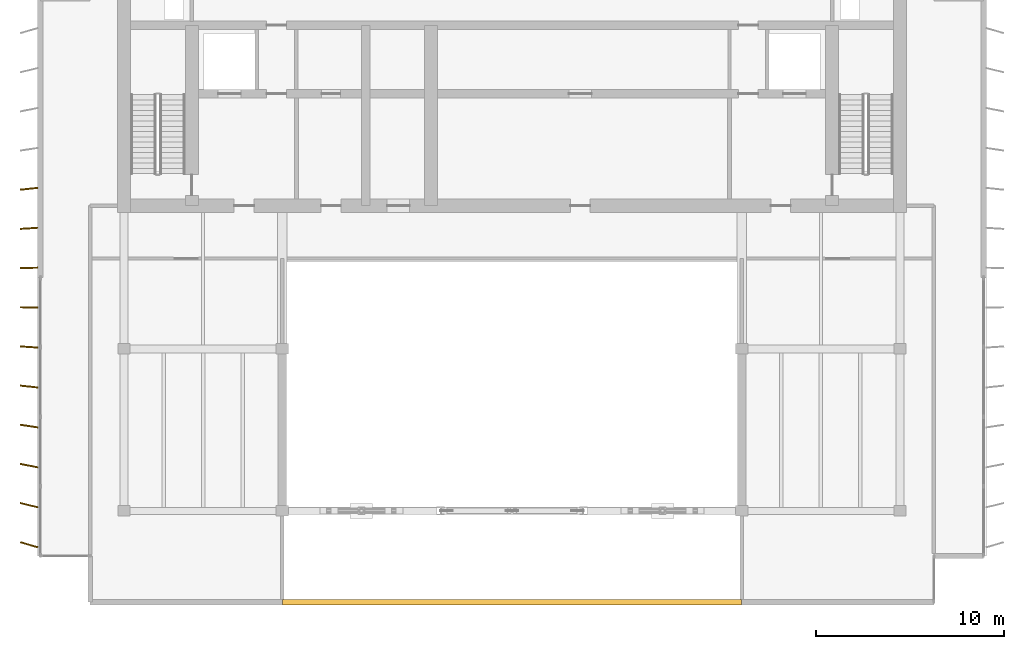
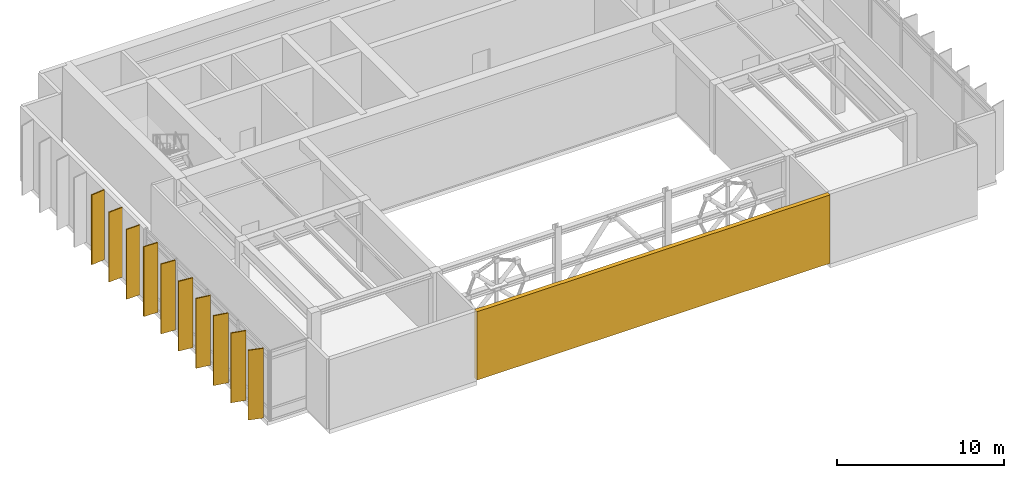
# One storey, part 8 of 10: 11 shading devices.
"""IFC4 building model written with IfcOpenShell, lengths in metres."""

import ifcopenshell
import ifcopenshell.guid

model = None  # the IFC model being written
_history = None  # IfcOwnerHistory: only IFC2X3 demands one
_inside = {}  # id of a spatial element -> (the spatial element, [elements in it])
_under = {}  # id of a project, library or spatial element -> (it, [spatial elements below it])
_declared = {}  # id of a project -> (the project, [libraries it declares])
_typed = {}  # id of a type object -> (the type object, [elements of that type])
_made_of = {}  # id of a material, layer set ... -> (it, [elements and type objects made of it])


def new_model(schema):
    """Start an empty IFC model of exactly this schema.

    Asked for "IFC4X3", IfcOpenShell would pick the latest addendum, in which some entities
    have other attributes; the version numbers below select the first issue.
    IFC2X3 requires an IfcOwnerHistory on every rooted entity: one is made here for all.
    """
    global model, _history
    if schema == "IFC4X3":
        model = ifcopenshell.file(schema_version=(4, 3, 0, 0))
    else:
        model = ifcopenshell.file(schema=schema)
    _inside.clear()
    _under.clear()
    _declared.clear()
    _typed.clear()
    _made_of.clear()
    _history = None
    if model.schema == "IFC2X3":
        org = make("IfcOrganization", Name="unknown")
        user = make(
            "IfcPersonAndOrganization",
            ThePerson=make("IfcPerson", FamilyName="unknown"),
            TheOrganization=org,
        )
        app = make(
            "IfcApplication",
            ApplicationDeveloper=org,
            Version="unknown",
            ApplicationFullName="unknown",
            ApplicationIdentifier="unknown",
        )
        _history = make(
            "IfcOwnerHistory",
            OwningUser=user,
            OwningApplication=app,
            ChangeAction="ADDED",
            CreationDate=0,
        )
    return model


def make(cls, **values):
    """One entity of the class cls with the attributes given. An attribute that is None is left unset."""
    return model.create_entity(
        cls, **{name: value for name, value in values.items() if value is not None}
    )


def rooted(cls, **values):
    """An entity with a GlobalId (a new one), such as an element, a storey or a relation."""
    return make(cls, GlobalId=ifcopenshell.guid.new(), OwnerHistory=_history, **values)


def si_unit(unit_type, name, prefix=None):
    """IfcSIUnit, for example si_unit("LENGTHUNIT", "METRE", prefix="MILLI")."""
    return make("IfcSIUnit", UnitType=unit_type, Prefix=prefix, Name=name)


def assignment(units):
    """IfcUnitAssignment: the units of a project."""
    return None if units is None else make("IfcUnitAssignment", Units=units)


def point(xyz):
    """IfcCartesianPoint."""
    return None if xyz is None else make("IfcCartesianPoint", Coordinates=xyz)


def direction(xyz):
    """IfcDirection."""
    return None if xyz is None else make("IfcDirection", DirectionRatios=xyz)


def frame(location, z_axis=None, x_axis=None):
    """IfcAxis2Placement3D, a coordinate frame: its origin and axes. An axis left out is left unset."""
    return make(
        "IfcAxis2Placement3D",
        Location=point(location),
        Axis=direction(z_axis),
        RefDirection=direction(x_axis),
    )


def frame_2d(location, x_axis=None):
    """IfcAxis2Placement2D, a coordinate frame in the plane: its origin and x axis."""
    return make(
        "IfcAxis2Placement2D", Location=point(location), RefDirection=direction(x_axis)
    )


def origin():
    """The frame at (0, 0, 0) with its axes left unset."""
    return frame((0.0, 0.0, 0.0))


def origin_2d():
    """The frame at (0, 0) in the plane with its x axis left unset."""
    return frame_2d((0.0, 0.0))


def place(relative_to, where):
    """IfcLocalPlacement: puts the frame where relative to a parent placement (None: the world)."""
    return make(
        "IfcLocalPlacement", PlacementRelTo=relative_to, RelativePlacement=where
    )


def context(
    kind, dimensions, precision=None, world=None, true_north=None, identifier=None
):
    """IfcGeometricRepresentationContext, for example the 3D "Model" context."""
    return make(
        "IfcGeometricRepresentationContext",
        ContextIdentifier=identifier,
        ContextType=kind,
        CoordinateSpaceDimension=dimensions,
        Precision=precision,
        WorldCoordinateSystem=world,
        TrueNorth=true_north,
    )


def subcontext(parent, identifier, kind, view, scale=None):
    """IfcGeometricRepresentationSubContext, for example "Body" below "Model"."""
    return make(
        "IfcGeometricRepresentationSubContext",
        ContextIdentifier=identifier,
        ContextType=kind,
        ParentContext=parent,
        TargetScale=scale,
        TargetView=view,
    )


def project(units=None, contexts=None):
    """IfcProject with its units and contexts."""
    return rooted(
        "IfcProject",
        Name="project",
        RepresentationContexts=contexts,
        UnitsInContext=assignment(units),
    )


def spatial(cls, under=None, at=None, **own):
    """A site, building, storey or space (cls), placed at a placement, below another one or the project."""
    s = rooted(cls, ObjectPlacement=at, **own)
    if under is not None:
        _under.setdefault(under.id(), (under, []))[1].append(s)
    return s


def profile(cls, at=None, kind="AREA", **sizes):
    """A parametric profile (cls). Its sizes go by their IFC names, for example OverallWidth=200.0."""
    return make(cls, ProfileType=kind, Position=at, **sizes)


def rectangle(**sizes):
    """IfcRectangleProfileDef."""
    return profile("IfcRectangleProfileDef", **sizes)


def extrude(swept, where, along, depth):
    """IfcExtrudedAreaSolid: the profile swept, set in the frame where, extruded along a direction by depth."""
    return make(
        "IfcExtrudedAreaSolid",
        SweptArea=swept,
        Position=where,
        ExtrudedDirection=direction(along),
        Depth=depth,
    )


def shape(context_of_items, identifier, shape_type, items):
    """IfcShapeRepresentation: the items that make up one representation, for example the "Body"."""
    return make(
        "IfcShapeRepresentation",
        ContextOfItems=context_of_items,
        RepresentationIdentifier=identifier,
        RepresentationType=shape_type,
        Items=items,
    )


def material(Name=None, Category=None):
    """IfcMaterial."""
    return make("IfcMaterial", Name=Name, Category=Category)


def layer(
    of_material, thickness, ventilated=None, Name=None, Category=None, Priority=None
):
    """IfcMaterialLayer: one layer of a wall or slab, of a material (None: an air gap)."""
    return make(
        "IfcMaterialLayer",
        Material=of_material,
        LayerThickness=thickness,
        IsVentilated=ventilated,
        Name=Name,
        Category=Category,
        Priority=Priority,
    )


def layer_set(layers, Name=None):
    """IfcMaterialLayerSet."""
    return make("IfcMaterialLayerSet", MaterialLayers=layers, LayerSetName=Name)


def material_profile(
    of_material, cross_section, Name=None, Category=None, Priority=None
):
    """IfcMaterialProfile: a cross section and its material."""
    return make(
        "IfcMaterialProfile",
        Name=Name,
        Material=of_material,
        Profile=cross_section,
        Priority=Priority,
        Category=Category,
    )


def profile_set(profiles, Name=None, composite=None):
    """IfcMaterialProfileSet."""
    return make(
        "IfcMaterialProfileSet",
        Name=Name,
        MaterialProfiles=profiles,
        CompositeProfile=composite,
    )


def made_of(thing, what):
    """Note that an element or type object is made of a material, layer set ...; save() writes the relation."""
    if what is not None:
        _made_of.setdefault(what.id(), (what, []))[1].append(thing)
    return thing


def type_object(cls, material=None, **own):
    """A type object (cls), such as IfcWallType, which elements share."""
    return made_of(rooted(cls, **own), material)


def element(
    cls,
    number,
    at=None,
    inside=None,
    cuts=None,
    type_object=None,
    material=None,
    context=None,
    identifier="Body",
    shape_type=None,
    held_by="IfcProductDefinitionShape",
    body=None,
    shapes=None,
    **own,
):
    """One element of the class cls, such as IfcWall. Its Tag is "e" and its number.

    at: its placement. inside: the storey or other place that contains it. cuts: it is an
    opening in that element (IfcRelVoidsElement). A single representation is given by context,
    identifier, shape_type and body (its items); several are given by shapes. held_by: the class
    of the entity that holds the representations. save() writes the other relations.
    """
    e = rooted(cls, Tag="e%d" % number, ObjectPlacement=at, **own)
    if body is not None:
        shapes = [shape(context, identifier, shape_type, body)]
    if shapes is not None:
        e.Representation = make(held_by, Representations=shapes)
    if inside is not None:
        _inside.setdefault(inside.id(), (inside, []))[1].append(e)
    if cuts is not None:
        rooted(
            "IfcRelVoidsElement", RelatingBuildingElement=cuts, RelatedOpeningElement=e
        )
    if type_object is not None:
        _typed.setdefault(type_object.id(), (type_object, []))[1].append(e)
    return made_of(e, material)


def aggregate(whole, parts):
    """IfcRelAggregates: a whole, such as a stair, and the parts it consists of."""
    return rooted("IfcRelAggregates", RelatingObject=whole, RelatedObjects=parts)


def save(model, path):
    """Write the relations noted so far, then the file.

    IfcRelAggregates (storeys below a building ...), IfcRelContainedInSpatialStructure (elements
    in a storey), IfcRelDefinesByType, IfcRelAssociatesMaterial and IfcRelDeclares: one each for
    every whole, place, type object, material and project.
    """
    for whole, parts in _under.values():
        aggregate(whole, parts)
    for where, things in _inside.values():
        rooted(
            "IfcRelContainedInSpatialStructure",
            RelatedElements=things,
            RelatingStructure=where,
        )
    for kind, things in _typed.values():
        rooted("IfcRelDefinesByType", RelatedObjects=things, RelatingType=kind)
    for what, things in _made_of.values():
        rooted("IfcRelAssociatesMaterial", RelatedObjects=things, RelatingMaterial=what)
    for by, libraries in _declared.values():
        rooted("IfcRelDeclares", RelatingContext=by, RelatedDefinitions=libraries)
    model.write(path)


model = new_model("IFC4")

# Units and contexts
model_context = context("Model", 3, precision=1e-05, world=origin(), true_north=direction((0.0, 1.0)))
body_context = subcontext(model_context, "Body", "Model", "MODEL_VIEW")
ifc_project = project(units=[si_unit("LENGTHUNIT", "METRE"), si_unit("AREAUNIT", "SQUARE_METRE"), si_unit("VOLUMEUNIT", "CUBIC_METRE"), si_unit("PLANEANGLEUNIT", "RADIAN"), si_unit("MASSUNIT", "GRAM", prefix="KILO")], contexts=[model_context])

# Site, building, storey
site_placement = place(None, origin())
site = spatial("IfcSite", under=ifc_project, at=site_placement, CompositionType="ELEMENT")
building_placement = place(site_placement, origin())
building = spatial("IfcBuilding", under=site, at=building_placement, Name="Caelmar Bay Residences", CompositionType="ELEMENT")
storey_placement = place(building_placement, frame((0.0, 0.0, 284.800048828125)))
storey = spatial("IfcBuildingStorey", under=building, at=storey_placement, Name="L79", CompositionType="ELEMENT", Elevation=284.800048828125)

# Shading devices
ifc_material = material(Name="Anodised architectural bronze aluminium 6063-T6", Category="aluminium")
ifc_material_profile = material_profile(ifc_material, rectangle(XDim=0.074951171875, YDim=0.949951171875, at=origin_2d()), Name="BRONZE-FIN-75X950")
ifc_profile_set = profile_set([ifc_material_profile], Name="Anodised architectural bronze aluminium 6063-T6")
shading_device_type_1 = type_object("IfcShadingDeviceType", Name="SHD-FIN-950", PredefinedType="USERDEFINED", material=ifc_profile_set)
for number, where, z_axis, x_axis, name in (
    (1, (13.25, 19.0, 0.0), (0.0, 0.0, 1.0), (0.275637355817, 0.961261695938, 0.0), "L79 West Bronze Solar Fin 1"),
    (2, (13.25, 21.10009765625, 0.0), (0.0, 0.0, 1.0), (0.234124149178, 0.972206707841, 0.0), "L79 West Bronze Solar Fin 2"),
    (3, (13.25, 23.199951171875, 0.0), (0.0, 0.0, 1.0), (0.192179419046, 0.981359807051, 0.0), "L79 West Bronze Solar Fin 3"),
    (4, (13.25, 25.300048828125, 0.0), (0.0, 0.0, 1.0), (0.149880475413, 0.988704123128, 0.0), "L79 West Bronze Solar Fin 4"),
    (5, (13.25, 27.39990234375, 0.0), (0.0, 0.0, 1.0), (0.107131754314, 0.994244832633, 0.0), "L79 West Bronze Solar Fin 5"),
    (6, (13.25, 29.5, 0.0), (0.0, 0.0, 1.0), (0.064358138139, 0.997926866086, 0.0), "L79 West Bronze Solar Fin 6"),
    (7, (13.25, 31.60009765625, 0.0), (0.0, 0.0, 1.0), (0.02146590093, 0.999769581002, 0.0), "L79 West Bronze Solar Fin 7"),
    (8, (13.25, 33.699951171875, 0.0), (0.0, 0.0, 1.0), (-0.02146590093, 0.999769581002, 0.0), "L79 West Bronze Solar Fin 8"),
    (9, (13.25, 35.800048828125, 0.0), (0.0, 0.0, 1.0), (-0.064358138139, 0.997926866086, 0.0), "L79 West Bronze Solar Fin 9"),
    (10, (13.25, 37.89990234375, 0.0), (0.0, 0.0, 1.0), (-0.107131754314, 0.994244832633, 0.0), "L79 West Bronze Solar Fin 10"),
):
    element("IfcShadingDevice", number, at=place(storey_placement, frame(where, z_axis=z_axis, x_axis=x_axis)), inside=storey, type_object=shading_device_type_1, Name=name, ObjectType="FIN", PredefinedType="USERDEFINED", context=body_context, shape_type="SweptSolid", body=[
        extrude(rectangle(XDim=0.074951171875, YDim=0.949951171875, at=origin_2d()), origin(), (0.0, 0.0, 1.0), 5.099853515625),
    ])
ifc_layer = layer(ifc_material, 0.219970703125)
ifc_layer_set = layer_set([ifc_layer], Name="Anodised architectural bronze aluminium 6063-T6")
shading_device_type_2 = type_object("IfcShadingDeviceType", Name="SHD-LVR-300", PredefinedType="JALOUSIE", material=ifc_layer_set)
shading_device_placement = place(storey_placement, frame((38.89990234375, 15.949951171875, 0.050048828125), z_axis=(0.0, 0.0, 1.0), x_axis=(1.0, 0.0, 0.0)))
element("IfcShadingDevice", 11, at=shading_device_placement, inside=storey, type_object=shading_device_type_2, Name="L79 Venturi Turbine Slot Protective Louvre", PredefinedType="JALOUSIE", context=body_context, shape_type="SweptSolid", body=[
    extrude(rectangle(XDim=24.39990234375, YDim=0.300048828125, at=origin_2d()), origin(), (0.0, 0.0, 1.0), 5.0),
])

save(model, "model.ifc")
